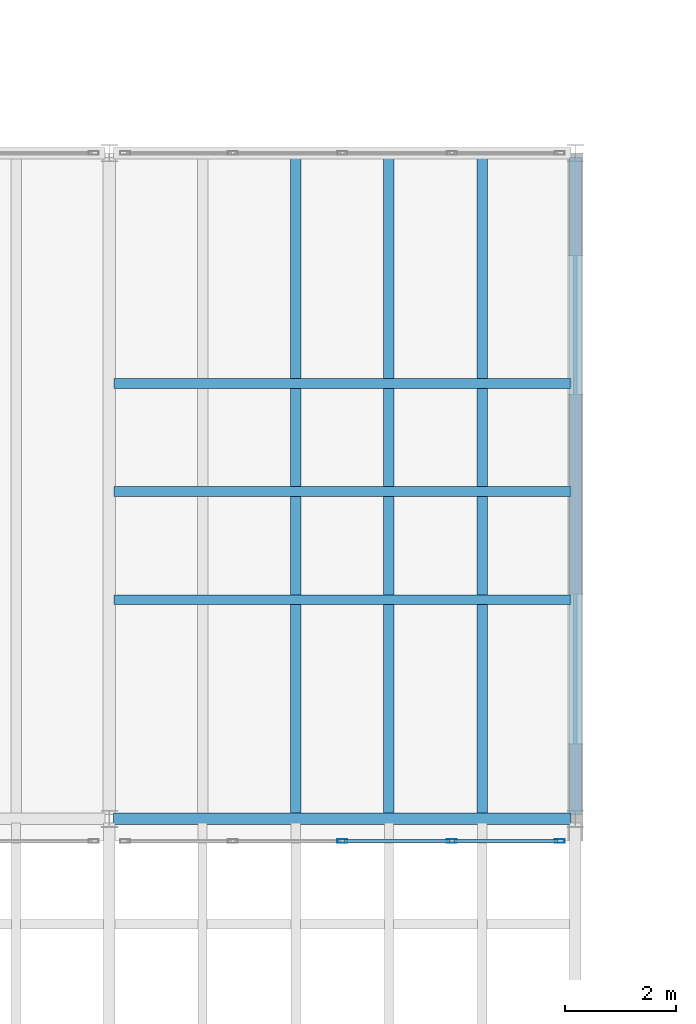
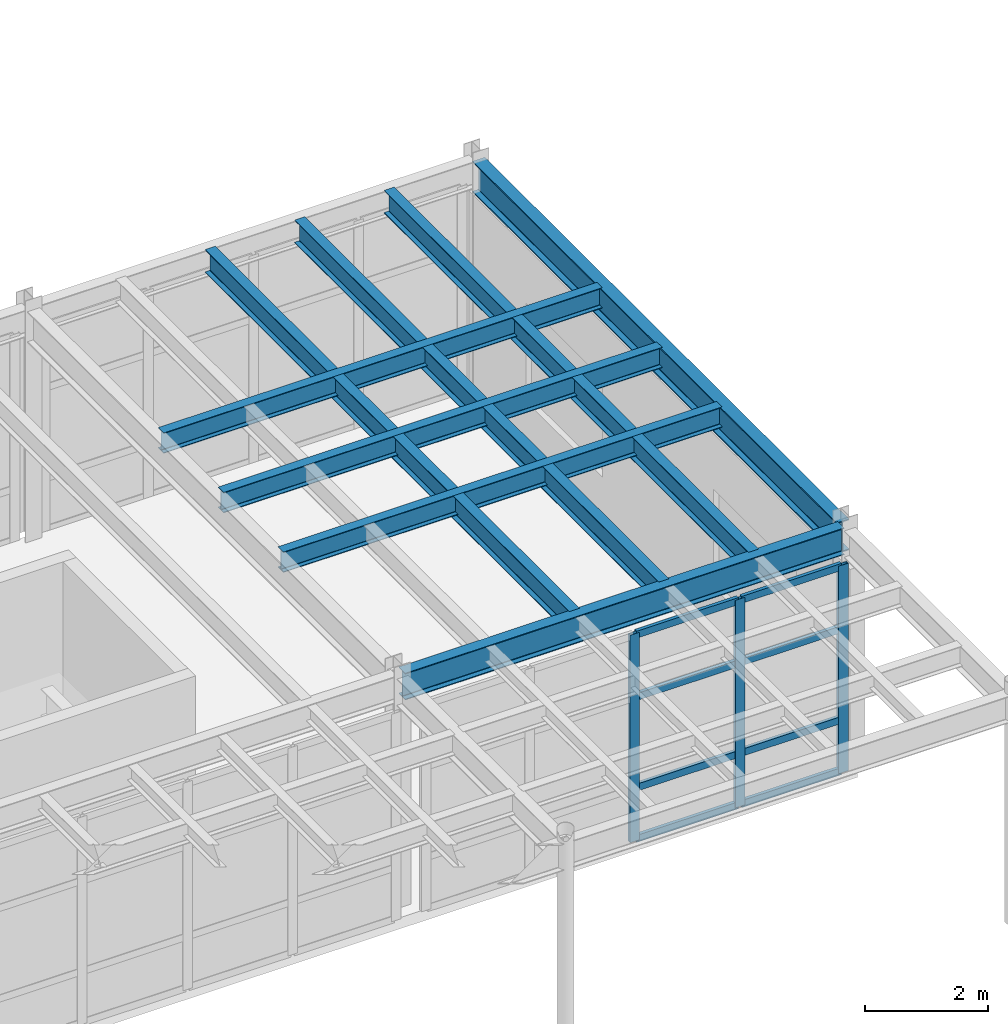
# One storey, part 52 of 116: 11 members, 8 beams, 1 element without a shape of its own.
"""IFC4 building model written with IfcOpenShell, lengths in metres."""

from ifc_helpers import new_model, si_unit, direction, frame, origin, origin_2d, place, context, subcontext, project, spatial, hollow_rectangle, i_section, extrude, material, layer, layer_set, material_profile, profile_set, type_object, element, aggregate, save


model = new_model("IFC4")

# Units and contexts
model_context = context("Model", 3, precision=1e-05, world=origin(), true_north=direction((0.0, 1.0)))
body_context = subcontext(model_context, "Body", "Model", "MODEL_VIEW")
ifc_project = project(units=[si_unit("LENGTHUNIT", "METRE"), si_unit("AREAUNIT", "SQUARE_METRE"), si_unit("VOLUMEUNIT", "CUBIC_METRE"), si_unit("PLANEANGLEUNIT", "RADIAN"), si_unit("MASSUNIT", "GRAM", prefix="KILO")], contexts=[model_context])

# Site, building, storey
site_placement = place(None, origin())
site = spatial("IfcSite", under=ifc_project, at=site_placement, CompositionType="ELEMENT")
building_placement = place(site_placement, origin())
building = spatial("IfcBuilding", under=site, at=building_placement, Name="Selat Folded Stagehouse", CompositionType="ELEMENT")
storey_placement = place(building_placement, frame((0.0, 0.0, 5.39990234375)))
storey = spatial("IfcBuildingStorey", under=building, at=storey_placement, Name="L01", CompositionType="ELEMENT", Elevation=5.39990234375)

# Beams
ifc_material_1 = material(Name="Steel S355", Category="steel")
ifc_material_profile_1 = material_profile(ifc_material_1, i_section(OverallWidth=0.209228515625, OverallDepth=0.533203125, WebThickness=0.010009765625, FlangeThickness=0.015625, FilletRadius=0.0126953125, at=origin_2d()), Name="UKB 533x210x92")
ifc_profile_set_1 = profile_set([ifc_material_profile_1], Name="Steel S355")
beam_type_1 = type_object("IfcBeamType", Name="BM-GIRD-533x210x92", PredefinedType="BEAM", material=ifc_profile_set_1)
beam_1_placement = place(storey_placement, frame((109.277099609375, 5.800048828125, 4.3134765625), z_axis=(1.0, 0.0, 0.0), x_axis=(0.0, 1.0, 0.0)))
element("IfcBeam", 1, at=beam_1_placement, inside=storey, type_object=beam_type_1, Name="L01 primary x-girder 0765", PredefinedType="BEAM", context=body_context, shape_type="SweptSolid", body=[
    extrude(i_section(OverallWidth=0.209228515625, OverallDepth=0.533203125, WebThickness=0.010009765625, FlangeThickness=0.015625, FilletRadius=0.0126953125, at=origin_2d()), origin(), (0.0, 0.0, 1.0), 8.245849609375),
])
ifc_material_profile_2 = material_profile(ifc_material_1, i_section(OverallWidth=0.230224609375, OverallDepth=0.6171875, WebThickness=0.01318359375, FlangeThickness=0.022216796875, FilletRadius=0.0126953125, at=origin_2d()), Name="UKB 610x229x140")
ifc_profile_set_2 = profile_set([ifc_material_profile_2], Name="Steel S355")
beam_type_2 = type_object("IfcBeamType", Name="BM-GIRD-610x229x140", PredefinedType="BEAM", material=ifc_profile_set_2)
beam_2_placement = place(storey_placement, frame((117.60009765625, 5.876953125, 4.271484375), z_axis=(0.0, 1.0, 0.0), x_axis=(-1.0, 0.0, 0.0)))
element("IfcBeam", 2, at=beam_2_placement, inside=storey, type_object=beam_type_2, Name="L01 primary y-girder 0840", PredefinedType="BEAM", context=body_context, shape_type="SweptSolid", body=[
    extrude(i_section(OverallWidth=0.230224609375, OverallDepth=0.6171875, WebThickness=0.01318359375, FlangeThickness=0.022216796875, FilletRadius=0.0126953125, at=origin_2d()), origin(), (0.0, 0.0, 1.0), 11.845947265625),
])

# Curtain wall, members
ifc_material_2 = material(Name="Aluminium 6063-T6", Category="aluminium")
ifc_layer = layer(ifc_material_2, 0.2099609375)
ifc_layer_set = layer_set([ifc_layer], Name="Aluminium 6063-T6")
curtain_wall_type = type_object("IfcCurtainWallType", Name="CW-FYR-SOUTH", PredefinedType="NOTDEFINED", material=ifc_layer_set)
curtain_wall_placement = place(storey_placement, origin())
curtain_wall = element("IfcCurtainWall", 3, at=curtain_wall_placement, inside=storey, type_object=curtain_wall_type, Name="L01 curtain wall CW-FYR-L01-06", PredefinedType="NOTDEFINED")
ifc_material_profile_3 = material_profile(ifc_material_2, hollow_rectangle(XDim=0.06494140625, YDim=0.179931640625, WallThickness=0.00390625, at=origin_2d()), Name="ALU 180x65x4.0")
ifc_profile_set_3 = profile_set([ifc_material_profile_3], Name="Aluminium 6063-T6")
member_type_1 = type_object("IfcMemberType", Name="CWM-MUL-180x65", PredefinedType="MULLION", material=ifc_profile_set_3)
member_1_placement = place(storey_placement, frame((117.3173828125, 5.39990234375, 0.0), z_axis=(0.0, 0.0, 1.0), x_axis=(0.0, -1.0, 0.0)))
member_1 = element("IfcMember", 4, at=member_1_placement, type_object=member_type_1, Name="CW-04 mullion 1", PredefinedType="MULLION", context=body_context, shape_type="SweptSolid", body=[
    extrude(hollow_rectangle(XDim=0.06494140625, YDim=0.179931640625, WallThickness=0.00390625, at=origin_2d()), origin(), (0.0, 0.0, 1.0), 4.1201171875),
])
member_2_placement = place(storey_placement, frame((115.375, 5.39990234375, 0.0), z_axis=(0.0, 0.0, 1.0), x_axis=(0.0, -1.0, 0.0)))
member_2 = element("IfcMember", 5, at=member_2_placement, type_object=member_type_1, Name="CW-04 mullion 2", PredefinedType="MULLION", context=body_context, shape_type="SweptSolid", body=[
    extrude(hollow_rectangle(XDim=0.06494140625, YDim=0.179931640625, WallThickness=0.00390625, at=origin_2d()), origin(), (0.0, 0.0, 1.0), 4.1201171875),
])
member_3_placement = place(storey_placement, frame((113.39990234375, 5.39990234375, 0.0), z_axis=(0.0, 0.0, 1.0), x_axis=(0.0, -1.0, 0.0)))
member_3 = element("IfcMember", 6, at=member_3_placement, type_object=member_type_1, Name="CW-04 mullion 3", PredefinedType="MULLION", context=body_context, shape_type="SweptSolid", body=[
    extrude(hollow_rectangle(XDim=0.06494140625, YDim=0.179931640625, WallThickness=0.00390625, at=origin_2d()), origin(), (0.0, 0.0, 1.0), 4.1201171875),
])
ifc_material_profile_4 = material_profile(ifc_material_2, hollow_rectangle(XDim=0.06494140625, YDim=0.139892578125, WallThickness=0.00390625, at=origin_2d()), Name="ALU 140x65x4.0")
ifc_profile_set_4 = profile_set([ifc_material_profile_4], Name="Aluminium 6063-T6")
member_type_2 = type_object("IfcMemberType", Name="CWM-TRN-140x65", PredefinedType="USERDEFINED", material=ifc_profile_set_4)
member_4_placement = place(storey_placement, frame((117.284912109375, 5.39990234375, 0.03271484375), z_axis=(-1.0, 0.0, 0.0), x_axis=(0.0, -1.0, 0.0)))
member_4 = element("IfcMember", 7, at=member_4_placement, type_object=member_type_2, Name="CW-04 transom 1.1", ObjectType="TRANSOM", PredefinedType="USERDEFINED", context=body_context, shape_type="SweptSolid", body=[
    extrude(hollow_rectangle(XDim=0.06494140625, YDim=0.139892578125, WallThickness=0.00390625, at=origin_2d()), origin(), (0.0, 0.0, 1.0), 1.87744140625),
])
member_5_placement = place(storey_placement, frame((117.284912109375, 5.39990234375, 1.050048828125), z_axis=(-1.0, 0.0, 0.0), x_axis=(0.0, -1.0, 0.0)))
member_5 = element("IfcMember", 8, at=member_5_placement, type_object=member_type_2, Name="CW-04 transom 1.2", ObjectType="TRANSOM", PredefinedType="USERDEFINED", context=body_context, shape_type="SweptSolid", body=[
    extrude(hollow_rectangle(XDim=0.06494140625, YDim=0.139892578125, WallThickness=0.00390625, at=origin_2d()), origin(), (0.0, 0.0, 1.0), 1.87744140625),
])
member_6_placement = place(storey_placement, frame((117.284912109375, 5.39990234375, 2.85009765625), z_axis=(-1.0, 0.0, 0.0), x_axis=(0.0, -1.0, 0.0)))
member_6 = element("IfcMember", 9, at=member_6_placement, type_object=member_type_2, Name="CW-04 transom 1.3", ObjectType="TRANSOM", PredefinedType="USERDEFINED", context=body_context, shape_type="SweptSolid", body=[
    extrude(hollow_rectangle(XDim=0.06494140625, YDim=0.139892578125, WallThickness=0.00390625, at=origin_2d()), origin(), (0.0, 0.0, 1.0), 1.87744140625),
])
member_7_placement = place(storey_placement, frame((117.284912109375, 5.39990234375, 4.087646484375), z_axis=(-1.0, 0.0, 0.0), x_axis=(0.0, -1.0, 0.0)))
member_7 = element("IfcMember", 10, at=member_7_placement, type_object=member_type_2, Name="CW-04 transom 1.4", ObjectType="TRANSOM", PredefinedType="USERDEFINED", context=body_context, shape_type="SweptSolid", body=[
    extrude(hollow_rectangle(XDim=0.06494140625, YDim=0.139892578125, WallThickness=0.00390625, at=origin_2d()), origin(), (0.0, 0.0, 1.0), 1.87744140625),
])
member_8_placement = place(storey_placement, frame((115.342529296875, 5.39990234375, 0.03271484375), z_axis=(-1.0, 0.0, 0.0), x_axis=(0.0, -1.0, 0.0)))
member_8 = element("IfcMember", 11, at=member_8_placement, type_object=member_type_2, Name="CW-04 transom 2.1", ObjectType="TRANSOM", PredefinedType="USERDEFINED", context=body_context, shape_type="SweptSolid", body=[
    extrude(hollow_rectangle(XDim=0.06494140625, YDim=0.139892578125, WallThickness=0.00390625, at=origin_2d()), origin(), (0.0, 0.0, 1.0), 1.909912109375),
])
member_9_placement = place(storey_placement, frame((115.342529296875, 5.39990234375, 1.050048828125), z_axis=(-1.0, 0.0, 0.0), x_axis=(0.0, -1.0, 0.0)))
member_9 = element("IfcMember", 12, at=member_9_placement, type_object=member_type_2, Name="CW-04 transom 2.2", ObjectType="TRANSOM", PredefinedType="USERDEFINED", context=body_context, shape_type="SweptSolid", body=[
    extrude(hollow_rectangle(XDim=0.06494140625, YDim=0.139892578125, WallThickness=0.00390625, at=origin_2d()), origin(), (0.0, 0.0, 1.0), 1.909912109375),
])
member_10_placement = place(storey_placement, frame((115.342529296875, 5.39990234375, 2.85009765625), z_axis=(-1.0, 0.0, 0.0), x_axis=(0.0, -1.0, 0.0)))
member_10 = element("IfcMember", 13, at=member_10_placement, type_object=member_type_2, Name="CW-04 transom 2.3", ObjectType="TRANSOM", PredefinedType="USERDEFINED", context=body_context, shape_type="SweptSolid", body=[
    extrude(hollow_rectangle(XDim=0.06494140625, YDim=0.139892578125, WallThickness=0.00390625, at=origin_2d()), origin(), (0.0, 0.0, 1.0), 1.909912109375),
])
member_11_placement = place(storey_placement, frame((115.342529296875, 5.39990234375, 4.087646484375), z_axis=(-1.0, 0.0, 0.0), x_axis=(0.0, -1.0, 0.0)))
member_11 = element("IfcMember", 14, at=member_11_placement, type_object=member_type_2, Name="CW-04 transom 2.4", ObjectType="TRANSOM", PredefinedType="USERDEFINED", context=body_context, shape_type="SweptSolid", body=[
    extrude(hollow_rectangle(XDim=0.06494140625, YDim=0.139892578125, WallThickness=0.00390625, at=origin_2d()), origin(), (0.0, 0.0, 1.0), 1.909912109375),
])
aggregate(curtain_wall, [member_1, member_2, member_3, member_4, member_5, member_6, member_7, member_8, member_9, member_10, member_11])

# Beams
ifc_material_profile_5 = material_profile(ifc_material_1, i_section(OverallWidth=0.177978515625, OverallDepth=0.406494140625, WebThickness=0.0078125, FlangeThickness=0.0126953125, FilletRadius=0.01025390625, at=origin_2d()), Name="UKB 406x178x60")
ifc_profile_set_5 = profile_set([ifc_material_profile_5], Name="Steel S355")
beam_type_3 = type_object("IfcBeamType", Name="JST-406x178x60", PredefinedType="JOIST", material=ifc_profile_set_5)
for number, where, z_axis, x_axis, name in (
    (15, (109.280517578125, 9.75, 4.376953125), (1.0, 0.0, 0.0), (0.0, 1.0, 0.0), "L01 secondary x-joist 0938"),
    (16, (109.280517578125, 11.699951171875, 4.376953125), (1.0, 0.0, 0.0), (0.0, 1.0, 0.0), "L01 secondary x-joist 0942"),
    (17, (109.280517578125, 13.64990234375, 4.376953125), (1.0, 0.0, 0.0), (0.0, 1.0, 0.0), "L01 secondary x-joist 0946"),
):
    element("IfcBeam", number, at=place(storey_placement, frame(where, z_axis=z_axis, x_axis=x_axis)), inside=storey, type_object=beam_type_3, Name=name, PredefinedType="JOIST", context=body_context, shape_type="SweptSolid", body=[
        extrude(i_section(OverallWidth=0.177978515625, OverallDepth=0.406494140625, WebThickness=0.0078125, FlangeThickness=0.0126953125, FilletRadius=0.01025390625, at=origin_2d()), origin(), (0.0, 0.0, 1.0), 8.23876953125),
    ])
ifc_material_profile_6 = material_profile(ifc_material_1, i_section(OverallWidth=0.18994140625, OverallDepth=0.453369140625, WebThickness=0.008544921875, FlangeThickness=0.0126953125, FilletRadius=0.01025390625, at=origin_2d()), Name="UKB 457x191x67")
ifc_profile_set_6 = profile_set([ifc_material_profile_6], Name="Steel S355")
beam_type_4 = type_object("IfcBeamType", Name="JST-457x191x67", PredefinedType="JOIST", material=ifc_profile_set_6)
for number, where, z_axis, x_axis, name in (
    (18, (112.56005859375, 5.873291015625, 4.353515625), (0.0, 1.0, 0.0), (-1.0, 0.0, 0.0), "L01 secondary floor joist 0905"),
    (19, (114.239990234375, 5.873291015625, 4.353515625), (0.0, 1.0, 0.0), (-1.0, 0.0, 0.0), "L01 secondary floor joist 0907"),
    (20, (115.919921875, 5.873291015625, 4.353515625), (0.0, 1.0, 0.0), (-1.0, 0.0, 0.0), "L01 secondary floor joist 0909"),
):
    element("IfcBeam", number, at=place(storey_placement, frame(where, z_axis=z_axis, x_axis=x_axis)), inside=storey, type_object=beam_type_4, Name=name, PredefinedType="JOIST", context=body_context, shape_type="SweptSolid", body=[
        extrude(i_section(OverallWidth=0.18994140625, OverallDepth=0.453369140625, WebThickness=0.008544921875, FlangeThickness=0.0126953125, FilletRadius=0.01025390625, at=origin_2d()), origin(), (0.0, 0.0, 1.0), 11.853515625),
    ])

save(model, "model.ifc")
